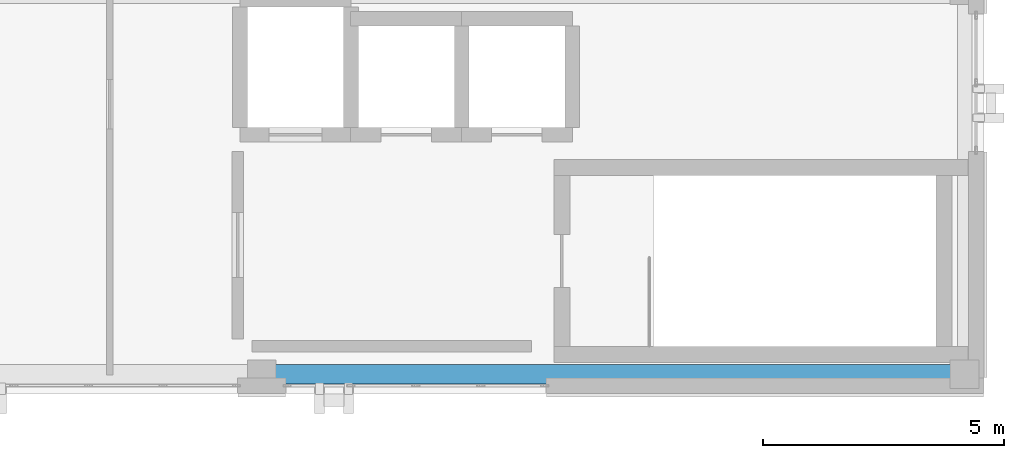
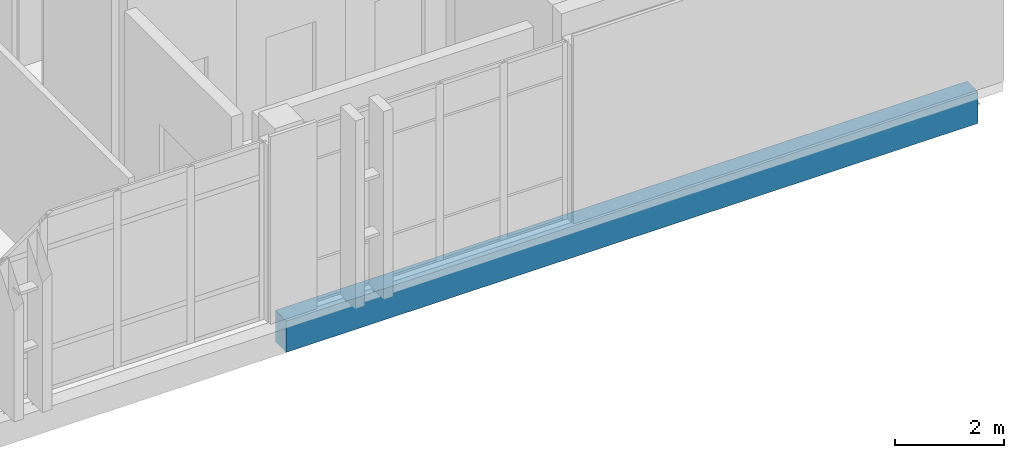
# One storey, part 4 of 19: 1 beam.
"""IFC4 building model written with IfcOpenShell, lengths in metres."""

import ifcopenshell
import ifcopenshell.guid

model = None  # the IFC model being written
_history = None  # IfcOwnerHistory: only IFC2X3 demands one
_inside = {}  # id of a spatial element -> (the spatial element, [elements in it])
_under = {}  # id of a project, library or spatial element -> (it, [spatial elements below it])
_declared = {}  # id of a project -> (the project, [libraries it declares])
_typed = {}  # id of a type object -> (the type object, [elements of that type])
_made_of = {}  # id of a material, layer set ... -> (it, [elements and type objects made of it])


def new_model(schema):
    """Start an empty IFC model of exactly this schema.

    Asked for "IFC4X3", IfcOpenShell would pick the latest addendum, in which some entities
    have other attributes; the version numbers below select the first issue.
    IFC2X3 requires an IfcOwnerHistory on every rooted entity: one is made here for all.
    """
    global model, _history
    if schema == "IFC4X3":
        model = ifcopenshell.file(schema_version=(4, 3, 0, 0))
    else:
        model = ifcopenshell.file(schema=schema)
    _inside.clear()
    _under.clear()
    _declared.clear()
    _typed.clear()
    _made_of.clear()
    _history = None
    if model.schema == "IFC2X3":
        org = make("IfcOrganization", Name="unknown")
        user = make(
            "IfcPersonAndOrganization",
            ThePerson=make("IfcPerson", FamilyName="unknown"),
            TheOrganization=org,
        )
        app = make(
            "IfcApplication",
            ApplicationDeveloper=org,
            Version="unknown",
            ApplicationFullName="unknown",
            ApplicationIdentifier="unknown",
        )
        _history = make(
            "IfcOwnerHistory",
            OwningUser=user,
            OwningApplication=app,
            ChangeAction="ADDED",
            CreationDate=0,
        )
    return model


def make(cls, **values):
    """One entity of the class cls with the attributes given. An attribute that is None is left unset."""
    return model.create_entity(
        cls, **{name: value for name, value in values.items() if value is not None}
    )


def rooted(cls, **values):
    """An entity with a GlobalId (a new one), such as an element, a storey or a relation."""
    return make(cls, GlobalId=ifcopenshell.guid.new(), OwnerHistory=_history, **values)


def si_unit(unit_type, name, prefix=None):
    """IfcSIUnit, for example si_unit("LENGTHUNIT", "METRE", prefix="MILLI")."""
    return make("IfcSIUnit", UnitType=unit_type, Prefix=prefix, Name=name)


def assignment(units):
    """IfcUnitAssignment: the units of a project."""
    return None if units is None else make("IfcUnitAssignment", Units=units)


def point(xyz):
    """IfcCartesianPoint."""
    return None if xyz is None else make("IfcCartesianPoint", Coordinates=xyz)


def direction(xyz):
    """IfcDirection."""
    return None if xyz is None else make("IfcDirection", DirectionRatios=xyz)


def frame(location, z_axis=None, x_axis=None):
    """IfcAxis2Placement3D, a coordinate frame: its origin and axes. An axis left out is left unset."""
    return make(
        "IfcAxis2Placement3D",
        Location=point(location),
        Axis=direction(z_axis),
        RefDirection=direction(x_axis),
    )


def frame_2d(location, x_axis=None):
    """IfcAxis2Placement2D, a coordinate frame in the plane: its origin and x axis."""
    return make(
        "IfcAxis2Placement2D", Location=point(location), RefDirection=direction(x_axis)
    )


def origin():
    """The frame at (0, 0, 0) with its axes left unset."""
    return frame((0.0, 0.0, 0.0))


def origin_2d():
    """The frame at (0, 0) in the plane with its x axis left unset."""
    return frame_2d((0.0, 0.0))


def place(relative_to, where):
    """IfcLocalPlacement: puts the frame where relative to a parent placement (None: the world)."""
    return make(
        "IfcLocalPlacement", PlacementRelTo=relative_to, RelativePlacement=where
    )


def context(
    kind, dimensions, precision=None, world=None, true_north=None, identifier=None
):
    """IfcGeometricRepresentationContext, for example the 3D "Model" context."""
    return make(
        "IfcGeometricRepresentationContext",
        ContextIdentifier=identifier,
        ContextType=kind,
        CoordinateSpaceDimension=dimensions,
        Precision=precision,
        WorldCoordinateSystem=world,
        TrueNorth=true_north,
    )


def subcontext(parent, identifier, kind, view, scale=None):
    """IfcGeometricRepresentationSubContext, for example "Body" below "Model"."""
    return make(
        "IfcGeometricRepresentationSubContext",
        ContextIdentifier=identifier,
        ContextType=kind,
        ParentContext=parent,
        TargetScale=scale,
        TargetView=view,
    )


def project(units=None, contexts=None):
    """IfcProject with its units and contexts."""
    return rooted(
        "IfcProject",
        Name="project",
        RepresentationContexts=contexts,
        UnitsInContext=assignment(units),
    )


def spatial(cls, under=None, at=None, **own):
    """A site, building, storey or space (cls), placed at a placement, below another one or the project."""
    s = rooted(cls, ObjectPlacement=at, **own)
    if under is not None:
        _under.setdefault(under.id(), (under, []))[1].append(s)
    return s


def profile(cls, at=None, kind="AREA", **sizes):
    """A parametric profile (cls). Its sizes go by their IFC names, for example OverallWidth=200.0."""
    return make(cls, ProfileType=kind, Position=at, **sizes)


def rectangle(**sizes):
    """IfcRectangleProfileDef."""
    return profile("IfcRectangleProfileDef", **sizes)


def extrude(swept, where, along, depth):
    """IfcExtrudedAreaSolid: the profile swept, set in the frame where, extruded along a direction by depth."""
    return make(
        "IfcExtrudedAreaSolid",
        SweptArea=swept,
        Position=where,
        ExtrudedDirection=direction(along),
        Depth=depth,
    )


def shape(context_of_items, identifier, shape_type, items):
    """IfcShapeRepresentation: the items that make up one representation, for example the "Body"."""
    return make(
        "IfcShapeRepresentation",
        ContextOfItems=context_of_items,
        RepresentationIdentifier=identifier,
        RepresentationType=shape_type,
        Items=items,
    )


def material(Name=None, Category=None):
    """IfcMaterial."""
    return make("IfcMaterial", Name=Name, Category=Category)


def material_profile(
    of_material, cross_section, Name=None, Category=None, Priority=None
):
    """IfcMaterialProfile: a cross section and its material."""
    return make(
        "IfcMaterialProfile",
        Name=Name,
        Material=of_material,
        Profile=cross_section,
        Priority=Priority,
        Category=Category,
    )


def profile_set(profiles, Name=None, composite=None):
    """IfcMaterialProfileSet."""
    return make(
        "IfcMaterialProfileSet",
        Name=Name,
        MaterialProfiles=profiles,
        CompositeProfile=composite,
    )


def made_of(thing, what):
    """Note that an element or type object is made of a material, layer set ...; save() writes the relation."""
    if what is not None:
        _made_of.setdefault(what.id(), (what, []))[1].append(thing)
    return thing


def type_object(cls, material=None, **own):
    """A type object (cls), such as IfcWallType, which elements share."""
    return made_of(rooted(cls, **own), material)


def element(
    cls,
    number,
    at=None,
    inside=None,
    cuts=None,
    type_object=None,
    material=None,
    context=None,
    identifier="Body",
    shape_type=None,
    held_by="IfcProductDefinitionShape",
    body=None,
    shapes=None,
    **own,
):
    """One element of the class cls, such as IfcWall. Its Tag is "e" and its number.

    at: its placement. inside: the storey or other place that contains it. cuts: it is an
    opening in that element (IfcRelVoidsElement). A single representation is given by context,
    identifier, shape_type and body (its items); several are given by shapes. held_by: the class
    of the entity that holds the representations. save() writes the other relations.
    """
    e = rooted(cls, Tag="e%d" % number, ObjectPlacement=at, **own)
    if body is not None:
        shapes = [shape(context, identifier, shape_type, body)]
    if shapes is not None:
        e.Representation = make(held_by, Representations=shapes)
    if inside is not None:
        _inside.setdefault(inside.id(), (inside, []))[1].append(e)
    if cuts is not None:
        rooted(
            "IfcRelVoidsElement", RelatingBuildingElement=cuts, RelatedOpeningElement=e
        )
    if type_object is not None:
        _typed.setdefault(type_object.id(), (type_object, []))[1].append(e)
    return made_of(e, material)


def aggregate(whole, parts):
    """IfcRelAggregates: a whole, such as a stair, and the parts it consists of."""
    return rooted("IfcRelAggregates", RelatingObject=whole, RelatedObjects=parts)


def save(model, path):
    """Write the relations noted so far, then the file.

    IfcRelAggregates (storeys below a building ...), IfcRelContainedInSpatialStructure (elements
    in a storey), IfcRelDefinesByType, IfcRelAssociatesMaterial and IfcRelDeclares: one each for
    every whole, place, type object, material and project.
    """
    for whole, parts in _under.values():
        aggregate(whole, parts)
    for where, things in _inside.values():
        rooted(
            "IfcRelContainedInSpatialStructure",
            RelatedElements=things,
            RelatingStructure=where,
        )
    for kind, things in _typed.values():
        rooted("IfcRelDefinesByType", RelatedObjects=things, RelatingType=kind)
    for what, things in _made_of.values():
        rooted("IfcRelAssociatesMaterial", RelatedObjects=things, RelatingMaterial=what)
    for by, libraries in _declared.values():
        rooted("IfcRelDeclares", RelatingContext=by, RelatedDefinitions=libraries)
    model.write(path)


model = new_model("IFC4")

# Units and contexts
model_context = context("Model", 3, precision=1e-05, world=origin(), true_north=direction((0.0, 1.0)))
body_context = subcontext(model_context, "Body", "Model", "MODEL_VIEW")
ifc_project = project(units=[si_unit("LENGTHUNIT", "METRE"), si_unit("AREAUNIT", "SQUARE_METRE"), si_unit("VOLUMEUNIT", "CUBIC_METRE"), si_unit("PLANEANGLEUNIT", "RADIAN"), si_unit("MASSUNIT", "GRAM", prefix="KILO")], contexts=[model_context])

# Site, building, storey
site_placement = place(None, origin())
site = spatial("IfcSite", under=ifc_project, at=site_placement, CompositionType="ELEMENT")
building_placement = place(site_placement, origin())
building = spatial("IfcBuilding", under=site, at=building_placement, Name="Qalavern Law Courts", CompositionType="ELEMENT")
storey_placement = place(building_placement, frame((0.0, 0.0, 39.60009765625)))
storey = spatial("IfcBuildingStorey", under=building, at=storey_placement, Name="L09", CompositionType="ELEMENT", Elevation=39.60009765625)

# Beam
ifc_material = material(Name="Concrete C40/50", Category="concrete")
ifc_material_profile = material_profile(ifc_material, rectangle(XDim=0.39990234375, YDim=0.699951171875, at=origin_2d()), Name="RC 400x700")
ifc_profile_set = profile_set([ifc_material_profile], Name="Concrete C40/50")
beam_type = type_object("IfcBeamType", Name="STR-SP-RC400x700", PredefinedType="SPANDREL", material=ifc_profile_set)
beam_placement = place(storey_placement, frame((91.800048828125, 41.419921875, -0.60498046875), z_axis=(1.0, 0.0, 0.0), x_axis=(0.0, 1.0, 0.0)))
element("IfcBeam", 1, at=beam_placement, inside=storey, type_object=beam_type, Name="V4 X-beam 1-2 L09", PredefinedType="SPANDREL", context=body_context, shape_type="SweptSolid", body=[
    extrude(rectangle(XDim=0.39990234375, YDim=0.699951171875, at=origin_2d()), origin(), (0.0, 0.0, 1.0), 14.599853515625),
])

save(model, "model.ifc")
